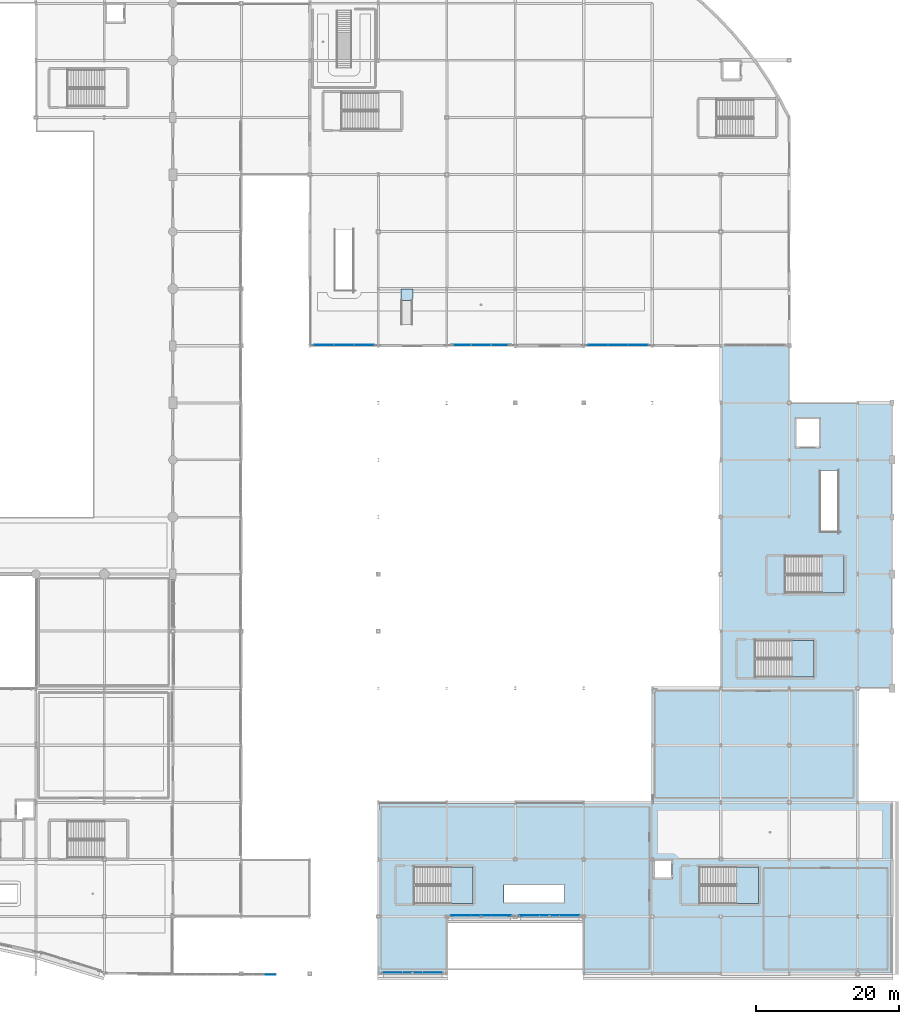
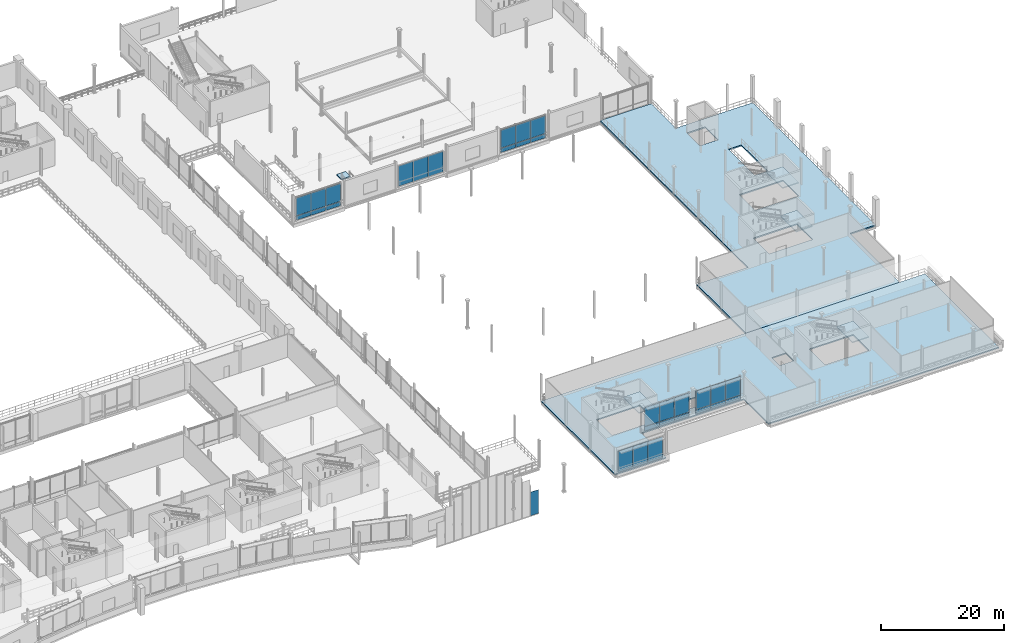
# One storey, part 73 of 129: 31 plates, 7 slabs, 11 elements without a shape of their own.
"""IFC4 building model written with IfcOpenShell, lengths in metres."""

import ifcopenshell
import ifcopenshell.guid

model = None  # the IFC model being written
_history = None  # IfcOwnerHistory: only IFC2X3 demands one
_inside = {}  # id of a spatial element -> (the spatial element, [elements in it])
_under = {}  # id of a project, library or spatial element -> (it, [spatial elements below it])
_declared = {}  # id of a project -> (the project, [libraries it declares])
_typed = {}  # id of a type object -> (the type object, [elements of that type])
_made_of = {}  # id of a material, layer set ... -> (it, [elements and type objects made of it])


def new_model(schema):
    """Start an empty IFC model of exactly this schema.

    Asked for "IFC4X3", IfcOpenShell would pick the latest addendum, in which some entities
    have other attributes; the version numbers below select the first issue.
    IFC2X3 requires an IfcOwnerHistory on every rooted entity: one is made here for all.
    """
    global model, _history
    if schema == "IFC4X3":
        model = ifcopenshell.file(schema_version=(4, 3, 0, 0))
    else:
        model = ifcopenshell.file(schema=schema)
    _inside.clear()
    _under.clear()
    _declared.clear()
    _typed.clear()
    _made_of.clear()
    _history = None
    if model.schema == "IFC2X3":
        org = make("IfcOrganization", Name="unknown")
        user = make(
            "IfcPersonAndOrganization",
            ThePerson=make("IfcPerson", FamilyName="unknown"),
            TheOrganization=org,
        )
        app = make(
            "IfcApplication",
            ApplicationDeveloper=org,
            Version="unknown",
            ApplicationFullName="unknown",
            ApplicationIdentifier="unknown",
        )
        _history = make(
            "IfcOwnerHistory",
            OwningUser=user,
            OwningApplication=app,
            ChangeAction="ADDED",
            CreationDate=0,
        )
    return model


def make(cls, **values):
    """One entity of the class cls with the attributes given. An attribute that is None is left unset."""
    return model.create_entity(
        cls, **{name: value for name, value in values.items() if value is not None}
    )


def rooted(cls, **values):
    """An entity with a GlobalId (a new one), such as an element, a storey or a relation."""
    return make(cls, GlobalId=ifcopenshell.guid.new(), OwnerHistory=_history, **values)


def si_unit(unit_type, name, prefix=None):
    """IfcSIUnit, for example si_unit("LENGTHUNIT", "METRE", prefix="MILLI")."""
    return make("IfcSIUnit", UnitType=unit_type, Prefix=prefix, Name=name)


def assignment(units):
    """IfcUnitAssignment: the units of a project."""
    return None if units is None else make("IfcUnitAssignment", Units=units)


def point(xyz):
    """IfcCartesianPoint."""
    return None if xyz is None else make("IfcCartesianPoint", Coordinates=xyz)


def direction(xyz):
    """IfcDirection."""
    return None if xyz is None else make("IfcDirection", DirectionRatios=xyz)


def frame(location, z_axis=None, x_axis=None):
    """IfcAxis2Placement3D, a coordinate frame: its origin and axes. An axis left out is left unset."""
    return make(
        "IfcAxis2Placement3D",
        Location=point(location),
        Axis=direction(z_axis),
        RefDirection=direction(x_axis),
    )


def frame_2d(location, x_axis=None):
    """IfcAxis2Placement2D, a coordinate frame in the plane: its origin and x axis."""
    return make(
        "IfcAxis2Placement2D", Location=point(location), RefDirection=direction(x_axis)
    )


def origin():
    """The frame at (0, 0, 0) with its axes left unset."""
    return frame((0.0, 0.0, 0.0))


def origin_2d():
    """The frame at (0, 0) in the plane with its x axis left unset."""
    return frame_2d((0.0, 0.0))


def place(relative_to, where):
    """IfcLocalPlacement: puts the frame where relative to a parent placement (None: the world)."""
    return make(
        "IfcLocalPlacement", PlacementRelTo=relative_to, RelativePlacement=where
    )


def context(
    kind, dimensions, precision=None, world=None, true_north=None, identifier=None
):
    """IfcGeometricRepresentationContext, for example the 3D "Model" context."""
    return make(
        "IfcGeometricRepresentationContext",
        ContextIdentifier=identifier,
        ContextType=kind,
        CoordinateSpaceDimension=dimensions,
        Precision=precision,
        WorldCoordinateSystem=world,
        TrueNorth=true_north,
    )


def subcontext(parent, identifier, kind, view, scale=None):
    """IfcGeometricRepresentationSubContext, for example "Body" below "Model"."""
    return make(
        "IfcGeometricRepresentationSubContext",
        ContextIdentifier=identifier,
        ContextType=kind,
        ParentContext=parent,
        TargetScale=scale,
        TargetView=view,
    )


def project(units=None, contexts=None):
    """IfcProject with its units and contexts."""
    return rooted(
        "IfcProject",
        Name="project",
        RepresentationContexts=contexts,
        UnitsInContext=assignment(units),
    )


def spatial(cls, under=None, at=None, **own):
    """A site, building, storey or space (cls), placed at a placement, below another one or the project."""
    s = rooted(cls, ObjectPlacement=at, **own)
    if under is not None:
        _under.setdefault(under.id(), (under, []))[1].append(s)
    return s


def polyline(points):
    """IfcPolyline through the points."""
    return make("IfcPolyline", Points=[point(p) for p in points])


def profile(cls, at=None, kind="AREA", **sizes):
    """A parametric profile (cls). Its sizes go by their IFC names, for example OverallWidth=200.0."""
    return make(cls, ProfileType=kind, Position=at, **sizes)


def rectangle(**sizes):
    """IfcRectangleProfileDef."""
    return profile("IfcRectangleProfileDef", **sizes)


def outline(outer, holes=None, kind="AREA"):
    """IfcArbitraryClosedProfileDef: a profile drawn as a closed curve; with holes, ...WithVoids."""
    if holes is None:
        return make("IfcArbitraryClosedProfileDef", ProfileType=kind, OuterCurve=outer)
    return make(
        "IfcArbitraryProfileDefWithVoids",
        ProfileType=kind,
        OuterCurve=outer,
        InnerCurves=holes,
    )


def extrude(swept, where, along, depth):
    """IfcExtrudedAreaSolid: the profile swept, set in the frame where, extruded along a direction by depth."""
    return make(
        "IfcExtrudedAreaSolid",
        SweptArea=swept,
        Position=where,
        ExtrudedDirection=direction(along),
        Depth=depth,
    )


def shape(context_of_items, identifier, shape_type, items):
    """IfcShapeRepresentation: the items that make up one representation, for example the "Body"."""
    return make(
        "IfcShapeRepresentation",
        ContextOfItems=context_of_items,
        RepresentationIdentifier=identifier,
        RepresentationType=shape_type,
        Items=items,
    )


def material(Name=None, Category=None):
    """IfcMaterial."""
    return make("IfcMaterial", Name=Name, Category=Category)


def layer(
    of_material, thickness, ventilated=None, Name=None, Category=None, Priority=None
):
    """IfcMaterialLayer: one layer of a wall or slab, of a material (None: an air gap)."""
    return make(
        "IfcMaterialLayer",
        Material=of_material,
        LayerThickness=thickness,
        IsVentilated=ventilated,
        Name=Name,
        Category=Category,
        Priority=Priority,
    )


def layer_set(layers, Name=None):
    """IfcMaterialLayerSet."""
    return make("IfcMaterialLayerSet", MaterialLayers=layers, LayerSetName=Name)


def made_of(thing, what):
    """Note that an element or type object is made of a material, layer set ...; save() writes the relation."""
    if what is not None:
        _made_of.setdefault(what.id(), (what, []))[1].append(thing)
    return thing


def type_object(cls, material=None, **own):
    """A type object (cls), such as IfcWallType, which elements share."""
    return made_of(rooted(cls, **own), material)


def element(
    cls,
    number,
    at=None,
    inside=None,
    cuts=None,
    type_object=None,
    material=None,
    context=None,
    identifier="Body",
    shape_type=None,
    held_by="IfcProductDefinitionShape",
    body=None,
    shapes=None,
    **own,
):
    """One element of the class cls, such as IfcWall. Its Tag is "e" and its number.

    at: its placement. inside: the storey or other place that contains it. cuts: it is an
    opening in that element (IfcRelVoidsElement). A single representation is given by context,
    identifier, shape_type and body (its items); several are given by shapes. held_by: the class
    of the entity that holds the representations. save() writes the other relations.
    """
    e = rooted(cls, Tag="e%d" % number, ObjectPlacement=at, **own)
    if body is not None:
        shapes = [shape(context, identifier, shape_type, body)]
    if shapes is not None:
        e.Representation = make(held_by, Representations=shapes)
    if inside is not None:
        _inside.setdefault(inside.id(), (inside, []))[1].append(e)
    if cuts is not None:
        rooted(
            "IfcRelVoidsElement", RelatingBuildingElement=cuts, RelatedOpeningElement=e
        )
    if type_object is not None:
        _typed.setdefault(type_object.id(), (type_object, []))[1].append(e)
    return made_of(e, material)


def aggregate(whole, parts):
    """IfcRelAggregates: a whole, such as a stair, and the parts it consists of."""
    return rooted("IfcRelAggregates", RelatingObject=whole, RelatedObjects=parts)


def save(model, path):
    """Write the relations noted so far, then the file.

    IfcRelAggregates (storeys below a building ...), IfcRelContainedInSpatialStructure (elements
    in a storey), IfcRelDefinesByType, IfcRelAssociatesMaterial and IfcRelDeclares: one each for
    every whole, place, type object, material and project.
    """
    for whole, parts in _under.values():
        aggregate(whole, parts)
    for where, things in _inside.values():
        rooted(
            "IfcRelContainedInSpatialStructure",
            RelatedElements=things,
            RelatingStructure=where,
        )
    for kind, things in _typed.values():
        rooted("IfcRelDefinesByType", RelatedObjects=things, RelatingType=kind)
    for what, things in _made_of.values():
        rooted("IfcRelAssociatesMaterial", RelatedObjects=things, RelatingMaterial=what)
    for by, libraries in _declared.values():
        rooted("IfcRelDeclares", RelatingContext=by, RelatedDefinitions=libraries)
    model.write(path)


model = new_model("IFC4")

# Units and contexts
model_context = context("Model", 3, precision=1e-05, world=origin(), true_north=direction((0.0, 1.0)))
body_context = subcontext(model_context, "Body", "Model", "MODEL_VIEW")
ifc_project = project(units=[si_unit("LENGTHUNIT", "METRE"), si_unit("AREAUNIT", "SQUARE_METRE"), si_unit("VOLUMEUNIT", "CUBIC_METRE"), si_unit("PLANEANGLEUNIT", "RADIAN"), si_unit("MASSUNIT", "GRAM", prefix="KILO")], contexts=[model_context])

# Site, building, storey
site_placement = place(None, origin())
site = spatial("IfcSite", under=ifc_project, at=site_placement, CompositionType="ELEMENT")
building_placement = place(site_placement, origin())
building = spatial("IfcBuilding", under=site, at=building_placement, Name="Danafjord Basin Convention Centre", CompositionType="ELEMENT")
storey_placement = place(building_placement, frame((0.0, 0.0, 6.0)))
storey = spatial("IfcBuildingStorey", under=building, at=storey_placement, Name="L01", CompositionType="ELEMENT", Elevation=6.0)

# Curtain wall, plate
ifc_material_1 = material(Name="Anodised aluminium and triple glazing", Category="aluminium")
curtain_wall_type_1 = type_object("IfcCurtainWallType", Name="CW-CW-HARB", PredefinedType="NOTDEFINED", material=ifc_material_1)
curtain_wall_1_placement = place(storey_placement, origin())
curtain_wall_1 = element("IfcCurtainWall", 1, at=curtain_wall_1_placement, inside=storey, type_object=curtain_wall_type_1, Name="Main entrance tall semicircular glazed arch curtain wall", PredefinedType="NOTDEFINED")
ifc_material_2 = material(Name="Acoustic triple-glazed low-E unit", Category="glass")
ifc_layer_1 = layer(ifc_material_2, 0.035888671875)
ifc_layer_set_1 = layer_set([ifc_layer_1], Name="Acoustic triple-glazed low-E unit")
plate_type_1 = type_object("IfcPlateType", Name="PLT-ARCH-GL36", PredefinedType="CURTAIN_PANEL", material=ifc_layer_set_1)
plate_1_placement = place(storey_placement, frame((128.800048828125, -0.14990234375, -2.5498046875), z_axis=(0.0, 0.0, 1.0), x_axis=(1.0, 0.0, 0.0)))
plate_1 = element("IfcPlate", 2, at=plate_1_placement, type_object=plate_type_1, Name="Main entrance tall glazed arch panel 12", PredefinedType="CURTAIN_PANEL", context=body_context, shape_type="SweptSolid", body=[
    extrude(rectangle(XDim=1.5, YDim=0.0400390625, at=origin_2d()), origin(), (0.0, 0.0, 1.0), 4.666748046875),
])
aggregate(curtain_wall_1, [plate_1])

# Curtain wall, plates
curtain_wall_type_2 = type_object("IfcCurtainWallType", Name="CW-CW-DRUM", PredefinedType="NOTDEFINED", material=ifc_material_1)
curtain_wall_2_placement = place(storey_placement, origin())
curtain_wall_2 = element("IfcCurtainWall", 3, at=curtain_wall_2_placement, inside=storey, type_object=curtain_wall_type_2, Name="L01 CW-DRUM unitised curtain wall bay 118", PredefinedType="NOTDEFINED")
ifc_material_3 = material(Name="Triple low-E insulated glazing", Category="glass")
ifc_layer_2 = layer(ifc_material_3, 0.0380859375)
ifc_layer_set_2 = layer_set([ifc_layer_2], Name="Triple low-E insulated glazing")
plate_type_2 = type_object("IfcPlateType", Name="PLT-GP-38", PredefinedType="CURTAIN_PANEL", material=ifc_layer_set_2)
plate_2_placement = place(storey_placement, frame((136.39990234375, 88.1201171875, 0.97802734375), z_axis=(0.0, 0.0, 1.0), x_axis=(1.0, 0.0, 0.0)))
plate_2 = element("IfcPlate", 4, at=plate_2_placement, type_object=plate_type_2, Name="CW-L01-118 vision glazing unit 1", PredefinedType="CURTAIN_PANEL", context=body_context, shape_type="SweptSolid", body=[
    extrude(rectangle(XDim=2.743896484375, YDim=0.0380859375, at=origin_2d()), origin(), (0.0, 0.0, 1.0), 3.553955078125),
])
plate_3_placement = place(storey_placement, frame((139.199951171875, 88.1201171875, 0.97802734375), z_axis=(0.0, 0.0, 1.0), x_axis=(1.0, 0.0, 0.0)))
plate_3 = element("IfcPlate", 5, at=plate_3_placement, type_object=plate_type_2, Name="CW-L01-118 vision glazing unit 2", PredefinedType="CURTAIN_PANEL", context=body_context, shape_type="SweptSolid", body=[
    extrude(rectangle(XDim=2.743896484375, YDim=0.0380859375, at=origin_2d()), origin(), (0.0, 0.0, 1.0), 3.553955078125),
])
plate_4_placement = place(storey_placement, frame((142.0, 88.1201171875, 0.97802734375), z_axis=(0.0, 0.0, 1.0), x_axis=(1.0, 0.0, 0.0)))
plate_4 = element("IfcPlate", 6, at=plate_4_placement, type_object=plate_type_2, Name="CW-L01-118 vision glazing unit 3", PredefinedType="CURTAIN_PANEL", context=body_context, shape_type="SweptSolid", body=[
    extrude(rectangle(XDim=2.743896484375, YDim=0.0380859375, at=origin_2d()), origin(), (0.0, 0.0, 1.0), 3.553955078125),
])

curtain_wall_3_placement = place(storey_placement, origin())
curtain_wall_3 = element("IfcCurtainWall", 7, at=curtain_wall_3_placement, inside=storey, type_object=curtain_wall_type_2, Name="L01 CW-DRUM unitised curtain wall bay 120", PredefinedType="NOTDEFINED")
plate_5_placement = place(storey_placement, frame((174.800048828125, 88.1201171875, 0.97802734375), z_axis=(0.0, 0.0, 1.0), x_axis=(1.0, 0.0, 0.0)))
plate_5 = element("IfcPlate", 8, at=plate_5_placement, type_object=plate_type_2, Name="CW-L01-120 vision glazing unit 1", PredefinedType="CURTAIN_PANEL", context=body_context, shape_type="SweptSolid", body=[
    extrude(rectangle(XDim=2.743896484375, YDim=0.0380859375, at=origin_2d()), origin(), (0.0, 0.0, 1.0), 3.553955078125),
])
plate_6_placement = place(storey_placement, frame((177.60009765625, 88.1201171875, 0.97802734375), z_axis=(0.0, 0.0, 1.0), x_axis=(1.0, 0.0, 0.0)))
plate_6 = element("IfcPlate", 9, at=plate_6_placement, type_object=plate_type_2, Name="CW-L01-120 vision glazing unit 2", PredefinedType="CURTAIN_PANEL", context=body_context, shape_type="SweptSolid", body=[
    extrude(rectangle(XDim=2.743896484375, YDim=0.0380859375, at=origin_2d()), origin(), (0.0, 0.0, 1.0), 3.553955078125),
])
plate_7_placement = place(storey_placement, frame((180.39990234375, 88.1201171875, 0.97802734375), z_axis=(0.0, 0.0, 1.0), x_axis=(1.0, 0.0, 0.0)))
plate_7 = element("IfcPlate", 10, at=plate_7_placement, type_object=plate_type_2, Name="CW-L01-120 vision glazing unit 3", PredefinedType="CURTAIN_PANEL", context=body_context, shape_type="SweptSolid", body=[
    extrude(rectangle(XDim=2.743896484375, YDim=0.0380859375, at=origin_2d()), origin(), (0.0, 0.0, 1.0), 3.553955078125),
])

curtain_wall_4_placement = place(storey_placement, origin())
curtain_wall_4 = element("IfcCurtainWall", 11, at=curtain_wall_4_placement, inside=storey, type_object=curtain_wall_type_1, Name="L01 CW-HARB unitised curtain wall bay 134", PredefinedType="NOTDEFINED")
plate_8_placement = place(storey_placement, frame((146.0, 0.1201171875, 0.087890625), z_axis=(0.0, 0.0, 1.0), x_axis=(1.0, 0.0, 0.0)))
plate_8 = element("IfcPlate", 12, at=plate_8_placement, type_object=plate_type_2, Name="CW-L01-134 vision glazing unit 1", PredefinedType="CURTAIN_PANEL", context=body_context, shape_type="SweptSolid", body=[
    extrude(rectangle(XDim=2.743896484375, YDim=0.0380859375, at=origin_2d()), origin(), (0.0, 0.0, 1.0), 4.174072265625),
])
plate_9_placement = place(storey_placement, frame((148.800048828125, 0.1201171875, 0.087890625), z_axis=(0.0, 0.0, 1.0), x_axis=(1.0, 0.0, 0.0)))
plate_9 = element("IfcPlate", 13, at=plate_9_placement, type_object=plate_type_2, Name="CW-L01-134 vision glazing unit 2", PredefinedType="CURTAIN_PANEL", context=body_context, shape_type="SweptSolid", body=[
    extrude(rectangle(XDim=2.743896484375, YDim=0.0380859375, at=origin_2d()), origin(), (0.0, 0.0, 1.0), 4.174072265625),
])
plate_10_placement = place(storey_placement, frame((151.60009765625, 0.1201171875, 0.087890625), z_axis=(0.0, 0.0, 1.0), x_axis=(1.0, 0.0, 0.0)))
plate_10 = element("IfcPlate", 14, at=plate_10_placement, type_object=plate_type_2, Name="CW-L01-134 vision glazing unit 3", PredefinedType="CURTAIN_PANEL", context=body_context, shape_type="SweptSolid", body=[
    extrude(rectangle(XDim=2.743896484375, YDim=0.0380859375, at=origin_2d()), origin(), (0.0, 0.0, 1.0), 4.174072265625),
])
aggregate(curtain_wall_4, [plate_8, plate_9, plate_10])

curtain_wall_5_placement = place(storey_placement, origin())
curtain_wall_5 = element("IfcCurtainWall", 15, at=curtain_wall_5_placement, inside=storey, type_object=curtain_wall_type_1, Name="L01 CW-HARB unitised curtain wall bay 146", PredefinedType="NOTDEFINED")
plate_11_placement = place(storey_placement, frame((165.199951171875, 8.1201171875, 0.97802734375), z_axis=(0.0, 0.0, 1.0), x_axis=(1.0, 0.0, 0.0)))
plate_11 = element("IfcPlate", 16, at=plate_11_placement, type_object=plate_type_2, Name="CW-L01-146 vision glazing unit 1", PredefinedType="CURTAIN_PANEL", context=body_context, shape_type="SweptSolid", body=[
    extrude(rectangle(XDim=2.743896484375, YDim=0.0380859375, at=origin_2d()), origin(), (0.0, 0.0, 1.0), 3.634033203125),
])
plate_12_placement = place(storey_placement, frame((168.0, 8.1201171875, 0.97802734375), z_axis=(0.0, 0.0, 1.0), x_axis=(1.0, 0.0, 0.0)))
plate_12 = element("IfcPlate", 17, at=plate_12_placement, type_object=plate_type_2, Name="CW-L01-146 vision glazing unit 2", PredefinedType="CURTAIN_PANEL", context=body_context, shape_type="SweptSolid", body=[
    extrude(rectangle(XDim=2.743896484375, YDim=0.0380859375, at=origin_2d()), origin(), (0.0, 0.0, 1.0), 3.634033203125),
])
plate_13_placement = place(storey_placement, frame((170.800048828125, 8.1201171875, 0.97802734375), z_axis=(0.0, 0.0, 1.0), x_axis=(1.0, 0.0, 0.0)))
plate_13 = element("IfcPlate", 18, at=plate_13_placement, type_object=plate_type_2, Name="CW-L01-146 vision glazing unit 3", PredefinedType="CURTAIN_PANEL", context=body_context, shape_type="SweptSolid", body=[
    extrude(rectangle(XDim=2.743896484375, YDim=0.0380859375, at=origin_2d()), origin(), (0.0, 0.0, 1.0), 3.634033203125),
])

curtain_wall_6_placement = place(storey_placement, origin())
curtain_wall_6 = element("IfcCurtainWall", 19, at=curtain_wall_6_placement, inside=storey, type_object=curtain_wall_type_2, Name="L01 CW-DRUM unitised curtain wall bay 119", PredefinedType="NOTDEFINED")
ifc_layer_3 = layer(ifc_material_3, 0.048095703125)
ifc_layer_set_3 = layer_set([ifc_layer_3], Name="Triple low-E insulated glazing")
plate_type_3 = type_object("IfcPlateType", Name="PLT-GP-48", PredefinedType="CURTAIN_PANEL", material=ifc_layer_set_3)
plate_14_placement = place(storey_placement, frame((155.60009765625, 88.1201171875, 0.088134765625), z_axis=(0.0, 0.0, 1.0), x_axis=(1.0, 0.0, 0.0)))
plate_14 = element("IfcPlate", 20, at=plate_14_placement, type_object=plate_type_3, Name="CW-L01-119 vision glazing unit 1", PredefinedType="CURTAIN_PANEL", context=body_context, shape_type="SweptSolid", body=[
    extrude(rectangle(XDim=2.743896484375, YDim=0.048095703125, at=origin_2d()), origin(), (0.0, 0.0, 1.0), 4.0439453125),
])
plate_15_placement = place(storey_placement, frame((158.39990234375, 88.1201171875, 0.088134765625), z_axis=(0.0, 0.0, 1.0), x_axis=(1.0, 0.0, 0.0)))
plate_15 = element("IfcPlate", 21, at=plate_15_placement, type_object=plate_type_3, Name="CW-L01-119 vision glazing unit 2", PredefinedType="CURTAIN_PANEL", context=body_context, shape_type="SweptSolid", body=[
    extrude(rectangle(XDim=2.743896484375, YDim=0.048095703125, at=origin_2d()), origin(), (0.0, 0.0, 1.0), 4.0439453125),
])
plate_16_placement = place(storey_placement, frame((161.199951171875, 88.1201171875, 0.088134765625), z_axis=(0.0, 0.0, 1.0), x_axis=(1.0, 0.0, 0.0)))
plate_16 = element("IfcPlate", 22, at=plate_16_placement, type_object=plate_type_3, Name="CW-L01-119 vision glazing unit 3", PredefinedType="CURTAIN_PANEL", context=body_context, shape_type="SweptSolid", body=[
    extrude(rectangle(XDim=2.743896484375, YDim=0.048095703125, at=origin_2d()), origin(), (0.0, 0.0, 1.0), 4.0439453125),
])
aggregate(curtain_wall_6, [plate_14, plate_15, plate_16])

curtain_wall_7_placement = place(storey_placement, origin())
curtain_wall_7 = element("IfcCurtainWall", 23, at=curtain_wall_7_placement, inside=storey, type_object=curtain_wall_type_1, Name="L01 CW-HARB unitised curtain wall bay 145", PredefinedType="NOTDEFINED")
plate_17_placement = place(storey_placement, frame((155.60009765625, 8.1201171875, 0.97802734375), z_axis=(0.0, 0.0, 1.0), x_axis=(1.0, 0.0, 0.0)))
plate_17 = element("IfcPlate", 24, at=plate_17_placement, type_object=plate_type_3, Name="CW-L01-145 vision glazing unit 1", PredefinedType="CURTAIN_PANEL", context=body_context, shape_type="SweptSolid", body=[
    extrude(rectangle(XDim=2.743896484375, YDim=0.048095703125, at=origin_2d()), origin(), (0.0, 0.0, 1.0), 3.68408203125),
])
plate_18_placement = place(storey_placement, frame((158.39990234375, 8.1201171875, 0.97802734375), z_axis=(0.0, 0.0, 1.0), x_axis=(1.0, 0.0, 0.0)))
plate_18 = element("IfcPlate", 25, at=plate_18_placement, type_object=plate_type_3, Name="CW-L01-145 vision glazing unit 2", PredefinedType="CURTAIN_PANEL", context=body_context, shape_type="SweptSolid", body=[
    extrude(rectangle(XDim=2.743896484375, YDim=0.048095703125, at=origin_2d()), origin(), (0.0, 0.0, 1.0), 3.68408203125),
])
plate_19_placement = place(storey_placement, frame((161.199951171875, 8.1201171875, 0.97802734375), z_axis=(0.0, 0.0, 1.0), x_axis=(1.0, 0.0, 0.0)))
plate_19 = element("IfcPlate", 26, at=plate_19_placement, type_object=plate_type_3, Name="CW-L01-145 vision glazing unit 3", PredefinedType="CURTAIN_PANEL", context=body_context, shape_type="SweptSolid", body=[
    extrude(rectangle(XDim=2.743896484375, YDim=0.048095703125, at=origin_2d()), origin(), (0.0, 0.0, 1.0), 3.68408203125),
])

# Plate
ifc_material_4 = material(Name="Insulated aluminium spandrel cassette", Category="aluminium")
ifc_layer_4 = layer(ifc_material_4, 0.070068359375)
ifc_layer_set_4 = layer_set([ifc_layer_4], Name="Insulated aluminium spandrel cassette")
plate_type_4 = type_object("IfcPlateType", Name="PLT-SPN-70", PredefinedType="CURTAIN_PANEL", material=ifc_layer_set_4)
plate_20_placement = place(storey_placement, frame((136.39990234375, 88.1201171875, 0.087890625), z_axis=(0.0, 0.0, 1.0), x_axis=(1.0, 0.0, 0.0)))
plate_20 = element("IfcPlate", 27, at=plate_20_placement, type_object=plate_type_4, Name="CW-L01-118 spandrel cassette 1", PredefinedType="CURTAIN_PANEL", context=body_context, shape_type="SweptSolid", body=[
    extrude(rectangle(XDim=2.743896484375, YDim=0.070068359375, at=origin_2d()), origin(), (0.0, 0.0, 1.0), 0.833984375),
])

plate_21_placement = place(storey_placement, frame((139.199951171875, 88.1201171875, 0.087890625), z_axis=(0.0, 0.0, 1.0), x_axis=(1.0, 0.0, 0.0)))
plate_21 = element("IfcPlate", 28, at=plate_21_placement, type_object=plate_type_4, Name="CW-L01-118 spandrel cassette 2", PredefinedType="CURTAIN_PANEL", context=body_context, shape_type="SweptSolid", body=[
    extrude(rectangle(XDim=2.743896484375, YDim=0.070068359375, at=origin_2d()), origin(), (0.0, 0.0, 1.0), 0.833984375),
])

plate_22_placement = place(storey_placement, frame((142.0, 88.1201171875, 0.087890625), z_axis=(0.0, 0.0, 1.0), x_axis=(1.0, 0.0, 0.0)))
plate_22 = element("IfcPlate", 29, at=plate_22_placement, type_object=plate_type_4, Name="CW-L01-118 spandrel cassette 3", PredefinedType="CURTAIN_PANEL", context=body_context, shape_type="SweptSolid", body=[
    extrude(rectangle(XDim=2.743896484375, YDim=0.070068359375, at=origin_2d()), origin(), (0.0, 0.0, 1.0), 0.833984375),
])

aggregate(curtain_wall_2, [plate_20, plate_2, plate_21, plate_3, plate_22, plate_4])

plate_23_placement = place(storey_placement, frame((174.800048828125, 88.1201171875, 0.087890625), z_axis=(0.0, 0.0, 1.0), x_axis=(1.0, 0.0, 0.0)))
plate_23 = element("IfcPlate", 30, at=plate_23_placement, type_object=plate_type_4, Name="CW-L01-120 spandrel cassette 1", PredefinedType="CURTAIN_PANEL", context=body_context, shape_type="SweptSolid", body=[
    extrude(rectangle(XDim=2.743896484375, YDim=0.070068359375, at=origin_2d()), origin(), (0.0, 0.0, 1.0), 0.833984375),
])

plate_24_placement = place(storey_placement, frame((177.60009765625, 88.1201171875, 0.087890625), z_axis=(0.0, 0.0, 1.0), x_axis=(1.0, 0.0, 0.0)))
plate_24 = element("IfcPlate", 31, at=plate_24_placement, type_object=plate_type_4, Name="CW-L01-120 spandrel cassette 2", PredefinedType="CURTAIN_PANEL", context=body_context, shape_type="SweptSolid", body=[
    extrude(rectangle(XDim=2.743896484375, YDim=0.070068359375, at=origin_2d()), origin(), (0.0, 0.0, 1.0), 0.833984375),
])

plate_25_placement = place(storey_placement, frame((180.39990234375, 88.1201171875, 0.087890625), z_axis=(0.0, 0.0, 1.0), x_axis=(1.0, 0.0, 0.0)))
plate_25 = element("IfcPlate", 32, at=plate_25_placement, type_object=plate_type_4, Name="CW-L01-120 spandrel cassette 3", PredefinedType="CURTAIN_PANEL", context=body_context, shape_type="SweptSolid", body=[
    extrude(rectangle(XDim=2.743896484375, YDim=0.070068359375, at=origin_2d()), origin(), (0.0, 0.0, 1.0), 0.833984375),
])

aggregate(curtain_wall_3, [plate_23, plate_5, plate_24, plate_6, plate_25, plate_7])

plate_26_placement = place(storey_placement, frame((165.199951171875, 8.1201171875, 0.087890625), z_axis=(0.0, 0.0, 1.0), x_axis=(1.0, 0.0, 0.0)))
plate_26 = element("IfcPlate", 33, at=plate_26_placement, type_object=plate_type_4, Name="CW-L01-146 spandrel cassette 1", PredefinedType="CURTAIN_PANEL", context=body_context, shape_type="SweptSolid", body=[
    extrude(rectangle(XDim=2.743896484375, YDim=0.070068359375, at=origin_2d()), origin(), (0.0, 0.0, 1.0), 0.833984375),
])

plate_27_placement = place(storey_placement, frame((168.0, 8.1201171875, 0.087890625), z_axis=(0.0, 0.0, 1.0), x_axis=(1.0, 0.0, 0.0)))
plate_27 = element("IfcPlate", 34, at=plate_27_placement, type_object=plate_type_4, Name="CW-L01-146 spandrel cassette 2", PredefinedType="CURTAIN_PANEL", context=body_context, shape_type="SweptSolid", body=[
    extrude(rectangle(XDim=2.743896484375, YDim=0.070068359375, at=origin_2d()), origin(), (0.0, 0.0, 1.0), 0.833984375),
])

plate_28_placement = place(storey_placement, frame((170.800048828125, 8.1201171875, 0.087890625), z_axis=(0.0, 0.0, 1.0), x_axis=(1.0, 0.0, 0.0)))
plate_28 = element("IfcPlate", 35, at=plate_28_placement, type_object=plate_type_4, Name="CW-L01-146 spandrel cassette 3", PredefinedType="CURTAIN_PANEL", context=body_context, shape_type="SweptSolid", body=[
    extrude(rectangle(XDim=2.743896484375, YDim=0.070068359375, at=origin_2d()), origin(), (0.0, 0.0, 1.0), 0.833984375),
])

aggregate(curtain_wall_5, [plate_26, plate_11, plate_27, plate_12, plate_28, plate_13])

ifc_layer_5 = layer(ifc_material_4, 0.090087890625)
ifc_layer_set_5 = layer_set([ifc_layer_5], Name="Insulated aluminium spandrel cassette")
plate_type_5 = type_object("IfcPlateType", Name="PLT-SPN-90", PredefinedType="CURTAIN_PANEL", material=ifc_layer_set_5)
plate_29_placement = place(storey_placement, frame((155.60009765625, 8.1201171875, 0.087890625), z_axis=(0.0, 0.0, 1.0), x_axis=(1.0, 0.0, 0.0)))
plate_29 = element("IfcPlate", 36, at=plate_29_placement, type_object=plate_type_5, Name="CW-L01-145 spandrel cassette 1", PredefinedType="CURTAIN_PANEL", context=body_context, shape_type="SweptSolid", body=[
    extrude(rectangle(XDim=2.743896484375, YDim=0.090087890625, at=origin_2d()), origin(), (0.0, 0.0, 1.0), 0.833984375),
])

plate_30_placement = place(storey_placement, frame((158.39990234375, 8.1201171875, 0.087890625), z_axis=(0.0, 0.0, 1.0), x_axis=(1.0, 0.0, 0.0)))
plate_30 = element("IfcPlate", 37, at=plate_30_placement, type_object=plate_type_5, Name="CW-L01-145 spandrel cassette 2", PredefinedType="CURTAIN_PANEL", context=body_context, shape_type="SweptSolid", body=[
    extrude(rectangle(XDim=2.743896484375, YDim=0.090087890625, at=origin_2d()), origin(), (0.0, 0.0, 1.0), 0.833984375),
])

plate_31_placement = place(storey_placement, frame((161.199951171875, 8.1201171875, 0.087890625), z_axis=(0.0, 0.0, 1.0), x_axis=(1.0, 0.0, 0.0)))
plate_31 = element("IfcPlate", 38, at=plate_31_placement, type_object=plate_type_5, Name="CW-L01-145 spandrel cassette 3", PredefinedType="CURTAIN_PANEL", context=body_context, shape_type="SweptSolid", body=[
    extrude(rectangle(XDim=2.743896484375, YDim=0.090087890625, at=origin_2d()), origin(), (0.0, 0.0, 1.0), 0.833984375),
])

aggregate(curtain_wall_7, [plate_29, plate_17, plate_30, plate_18, plate_31, plate_19])

# Slabs
ifc_material_5 = material(Name="Concrete C35/45", Category="concrete")
ifc_layer_6 = layer(ifc_material_5, 0.22998046875)
ifc_layer_set_6 = layer_set([ifc_layer_6], Name="Concrete C35/45")
slab_type_1 = type_object("IfcSlabType", Name="SLAB-FS-230", PredefinedType="FLOOR", material=ifc_layer_set_6)
slab_1_placement = place(storey_placement, frame((0.0, 0.0, -0.22998046875)))
element("IfcSlab", 39, at=slab_1_placement, inside=storey, type_object=slab_type_1, Name="L01 FS-230 slab SL-L01-V5", PredefinedType="FLOOR", context=body_context, shape_type="SweptSolid", body=[
    extrude(outline(polyline([(144.0, 24.0), (216.0, 24.0), (216.0, 0.0), (172.800048828125, 0.0), (172.800048828125, 8.0), (153.60009765625, 8.0), (153.60009765625, 0.0), (144.0, 0.0), (144.0, 24.0)]), holes=[polyline([(189.080078125, 14.949951171875), (189.080078125, 9.81005859375), (197.280029296875, 9.81005859375), (197.280029296875, 14.949951171875), (189.080078125, 14.949951171875)]), polyline([(182.60009765625, 15.89990234375), (182.60009765625, 13.300048828125), (185.199951171875, 13.300048828125), (185.199951171875, 15.89990234375), (182.60009765625, 15.89990234375)]), polyline([(161.60009765625, 12.425048828125), (161.60009765625, 9.97509765625), (170.125, 9.97509765625), (170.125, 12.425048828125), (161.60009765625, 12.425048828125)]), polyline([(149.080078125, 14.949951171875), (149.080078125, 9.81005859375), (157.280029296875, 9.81005859375), (157.280029296875, 14.949951171875), (149.080078125, 14.949951171875)])]), origin(), (0.0, 0.0, 1.0), 0.22998046875),
])
ifc_layer_7 = layer(ifc_material_5, 0.25)
ifc_layer_set_7 = layer_set([ifc_layer_7], Name="Concrete C35/45")
slab_type_2 = type_object("IfcSlabType", Name="SLAB-FS-250", PredefinedType="FLOOR", material=ifc_layer_set_7)
slab_2_placement = place(storey_placement, frame((0.0, 0.0, -0.25)))
element("IfcSlab", 40, at=slab_2_placement, inside=storey, type_object=slab_type_2, Name="L01 FS-250 slab SL-L01-V3E", PredefinedType="FLOOR", context=body_context, shape_type="SweptSolid", body=[
    extrude(outline(polyline([(182.39990234375, 40.0), (192.0, 40.0), (192.0, 88.0), (201.60009765625, 88.0), (201.60009765625, 80.0), (216.0, 80.0), (216.0, 40.0), (211.199951171875, 40.0), (211.199951171875, 24.0), (182.39990234375, 24.0), (182.39990234375, 40.0)]), holes=[polyline([(201.080078125, 58.5), (201.080078125, 53.360107421875), (209.280029296875, 53.360107421875), (209.280029296875, 58.5), (201.080078125, 58.5)]), polyline([(205.97509765625, 70.52490234375), (205.97509765625, 62.0), (208.425048828125, 62.0), (208.425048828125, 70.52490234375), (205.97509765625, 70.52490234375)]), polyline([(202.5, 77.89990234375), (202.5, 73.699951171875), (205.89990234375, 73.699951171875), (205.89990234375, 77.89990234375), (202.5, 77.89990234375)]), polyline([(196.8798828125, 46.699951171875), (196.8798828125, 41.56005859375), (205.080078125, 41.56005859375), (205.080078125, 46.699951171875), (196.8798828125, 46.699951171875)])]), origin(), (0.0, 0.0, 1.0), 0.25),
])

# Stair, slab
ifc_material_6 = material(Name="Concrete C40/50", Category="concrete")
stair_type = type_object("IfcStairType", Name="STAIR-STR-C01", PredefinedType="TWO_STRAIGHT_RUN_STAIR", material=ifc_material_6)
stair_1_placement = place(storey_placement, origin())
stair_1 = element("IfcStair", 41, at=stair_1_placement, inside=storey, type_object=stair_type, Name="L01 Ballroom East Core Stair 1", PredefinedType="HALF_TURN_STAIR")
ifc_layer_8 = layer(ifc_material_6, 0.199951171875)
ifc_layer_set_8 = layer_set([ifc_layer_8], Name="Concrete C40/50")
slab_type_3 = type_object("IfcSlabType", Name="SLAB-LAND-200", PredefinedType="LANDING", material=ifc_layer_set_8)
slab_3_placement = place(storey_placement, frame((0.0, 0.0, 2.5)))
slab_3 = element("IfcSlab", 42, at=slab_3_placement, type_object=slab_type_3, Name="ST-13 landing 1", PredefinedType="LANDING", context=body_context, shape_type="SweptSolid", body=[
    extrude(outline(polyline([(206.18994140625, 53.360107421875), (209.280029296875, 53.360107421875), (209.280029296875, 58.5), (206.18994140625, 58.5), (206.18994140625, 53.360107421875)])), origin(), (0.0, 0.0, 1.0), 0.199951171875),
])
aggregate(stair_1, [slab_3])

stair_2_placement = place(storey_placement, origin())
stair_2 = element("IfcStair", 43, at=stair_2_placement, inside=storey, type_object=stair_type, Name="L01 Harbour Pavilion Core Stair 1", PredefinedType="HALF_TURN_STAIR")
slab_4_placement = place(storey_placement, frame((0.0, 0.0, 2.5)))
slab_4 = element("IfcSlab", 44, at=slab_4_placement, type_object=slab_type_3, Name="ST-15 landing 1", PredefinedType="LANDING", context=body_context, shape_type="SweptSolid", body=[
    extrude(outline(polyline([(194.18994140625, 9.81005859375), (197.280029296875, 9.81005859375), (197.280029296875, 14.949951171875), (194.18994140625, 14.949951171875), (194.18994140625, 9.81005859375)])), origin(), (0.0, 0.0, 1.0), 0.199951171875),
])
aggregate(stair_2, [slab_4])

stair_3_placement = place(storey_placement, origin())
stair_3 = element("IfcStair", 45, at=stair_3_placement, inside=storey, type_object=stair_type, Name="L01 Ballroom South-East Escape Stair", PredefinedType="HALF_TURN_STAIR")
slab_5_placement = place(storey_placement, frame((0.0, 0.0, 2.5)))
slab_5 = element("IfcSlab", 46, at=slab_5_placement, type_object=slab_type_3, Name="ST-14 landing 1", PredefinedType="LANDING", context=body_context, shape_type="SweptSolid", body=[
    extrude(outline(polyline([(201.989990234375, 41.56005859375), (205.080078125, 41.56005859375), (205.080078125, 46.699951171875), (201.989990234375, 46.699951171875), (201.989990234375, 41.56005859375)])), origin(), (0.0, 0.0, 1.0), 0.199951171875),
])
aggregate(stair_3, [slab_5])

stair_4_placement = place(storey_placement, origin())
stair_4 = element("IfcStair", 47, at=stair_4_placement, inside=storey, type_object=stair_type, Name="L01 Harbour Pavilion West Escape Stair", PredefinedType="HALF_TURN_STAIR")
slab_6_placement = place(storey_placement, frame((0.0, 0.0, 2.5)))
slab_6 = element("IfcSlab", 48, at=slab_6_placement, type_object=slab_type_3, Name="ST-16 landing 1", PredefinedType="LANDING", context=body_context, shape_type="SweptSolid", body=[
    extrude(outline(polyline([(154.18994140625, 9.81005859375), (157.280029296875, 9.81005859375), (157.280029296875, 14.949951171875), (154.18994140625, 14.949951171875), (154.18994140625, 9.81005859375)])), origin(), (0.0, 0.0, 1.0), 0.199951171875),
])
aggregate(stair_4, [slab_6])

# Slab
slab_7_placement = place(storey_placement, origin())
element("IfcSlab", 49, at=slab_7_placement, inside=storey, type_object=slab_type_3, Name="AR-05 threshold landing", PredefinedType="LANDING", context=body_context, shape_type="SweptSolid", body=[
    extrude(outline(polyline([(147.14990234375, 94.3798828125), (148.85009765625, 94.3798828125), (148.85009765625, 95.949951171875), (147.14990234375, 95.949951171875), (147.14990234375, 94.3798828125)])), origin(), (0.0, 0.0, 1.0), 0.199951171875),
])

save(model, "model.ifc")
